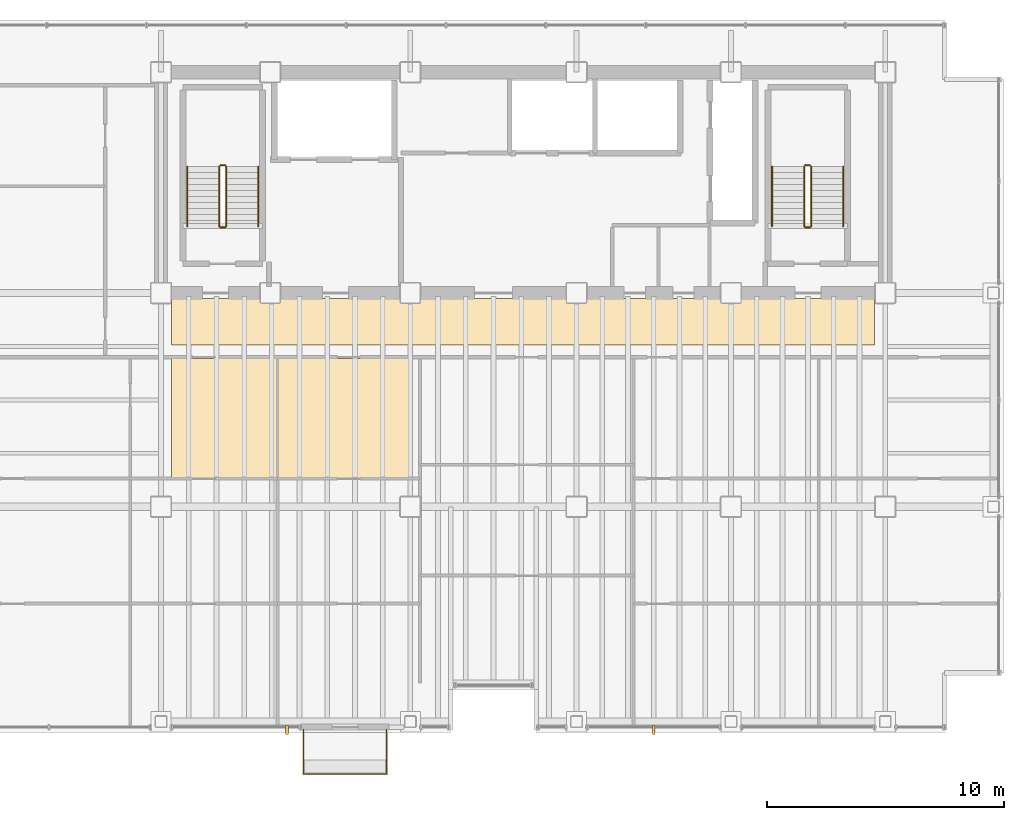
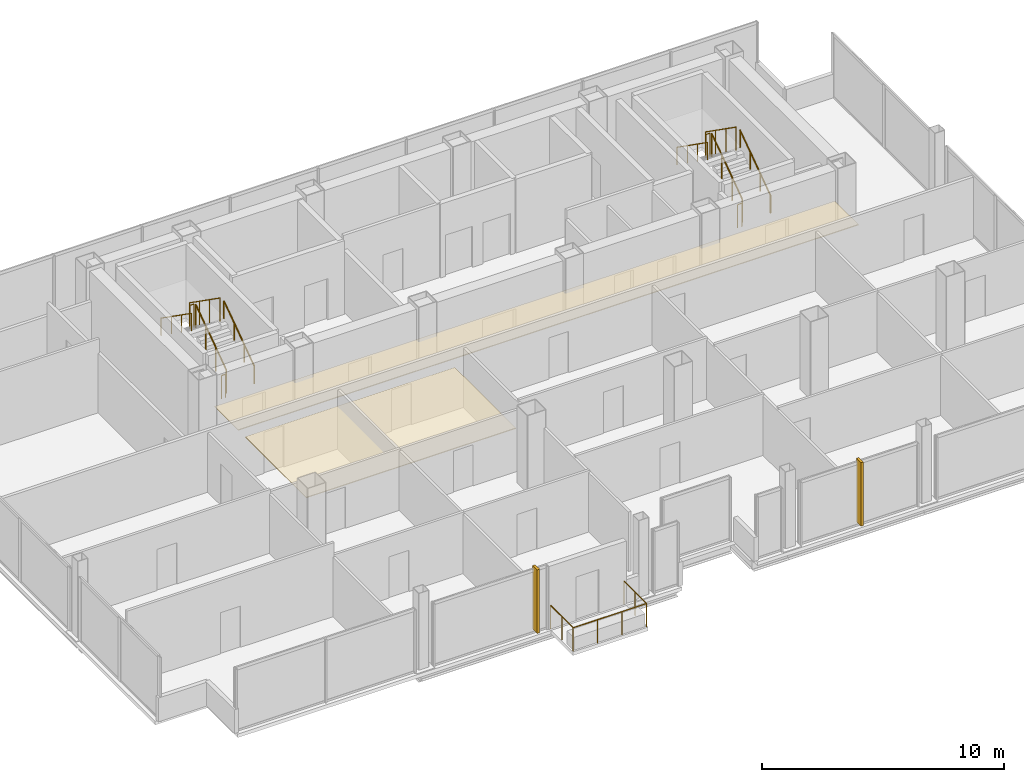
# One storey, part 22 of 22: 13 railings, 2 coverings, 2 shading devices.
"""IFC4 building model written with IfcOpenShell, lengths in metres."""

import ifcopenshell
import ifcopenshell.guid

model = None  # the IFC model being written
_history = None  # IfcOwnerHistory: only IFC2X3 demands one
_inside = {}  # id of a spatial element -> (the spatial element, [elements in it])
_under = {}  # id of a project, library or spatial element -> (it, [spatial elements below it])
_declared = {}  # id of a project -> (the project, [libraries it declares])
_typed = {}  # id of a type object -> (the type object, [elements of that type])
_made_of = {}  # id of a material, layer set ... -> (it, [elements and type objects made of it])


def new_model(schema):
    """Start an empty IFC model of exactly this schema.

    Asked for "IFC4X3", IfcOpenShell would pick the latest addendum, in which some entities
    have other attributes; the version numbers below select the first issue.
    IFC2X3 requires an IfcOwnerHistory on every rooted entity: one is made here for all.
    """
    global model, _history
    if schema == "IFC4X3":
        model = ifcopenshell.file(schema_version=(4, 3, 0, 0))
    else:
        model = ifcopenshell.file(schema=schema)
    _inside.clear()
    _under.clear()
    _declared.clear()
    _typed.clear()
    _made_of.clear()
    _history = None
    if model.schema == "IFC2X3":
        org = make("IfcOrganization", Name="unknown")
        user = make(
            "IfcPersonAndOrganization",
            ThePerson=make("IfcPerson", FamilyName="unknown"),
            TheOrganization=org,
        )
        app = make(
            "IfcApplication",
            ApplicationDeveloper=org,
            Version="unknown",
            ApplicationFullName="unknown",
            ApplicationIdentifier="unknown",
        )
        _history = make(
            "IfcOwnerHistory",
            OwningUser=user,
            OwningApplication=app,
            ChangeAction="ADDED",
            CreationDate=0,
        )
    return model


def make(cls, **values):
    """One entity of the class cls with the attributes given. An attribute that is None is left unset."""
    return model.create_entity(
        cls, **{name: value for name, value in values.items() if value is not None}
    )


def rooted(cls, **values):
    """An entity with a GlobalId (a new one), such as an element, a storey or a relation."""
    return make(cls, GlobalId=ifcopenshell.guid.new(), OwnerHistory=_history, **values)


def si_unit(unit_type, name, prefix=None):
    """IfcSIUnit, for example si_unit("LENGTHUNIT", "METRE", prefix="MILLI")."""
    return make("IfcSIUnit", UnitType=unit_type, Prefix=prefix, Name=name)


def assignment(units):
    """IfcUnitAssignment: the units of a project."""
    return None if units is None else make("IfcUnitAssignment", Units=units)


def point(xyz):
    """IfcCartesianPoint."""
    return None if xyz is None else make("IfcCartesianPoint", Coordinates=xyz)


def direction(xyz):
    """IfcDirection."""
    return None if xyz is None else make("IfcDirection", DirectionRatios=xyz)


def frame(location, z_axis=None, x_axis=None):
    """IfcAxis2Placement3D, a coordinate frame: its origin and axes. An axis left out is left unset."""
    return make(
        "IfcAxis2Placement3D",
        Location=point(location),
        Axis=direction(z_axis),
        RefDirection=direction(x_axis),
    )


def frame_2d(location, x_axis=None):
    """IfcAxis2Placement2D, a coordinate frame in the plane: its origin and x axis."""
    return make(
        "IfcAxis2Placement2D", Location=point(location), RefDirection=direction(x_axis)
    )


def origin():
    """The frame at (0, 0, 0) with its axes left unset."""
    return frame((0.0, 0.0, 0.0))


def origin_2d():
    """The frame at (0, 0) in the plane with its x axis left unset."""
    return frame_2d((0.0, 0.0))


def place(relative_to, where):
    """IfcLocalPlacement: puts the frame where relative to a parent placement (None: the world)."""
    return make(
        "IfcLocalPlacement", PlacementRelTo=relative_to, RelativePlacement=where
    )


def context(
    kind, dimensions, precision=None, world=None, true_north=None, identifier=None
):
    """IfcGeometricRepresentationContext, for example the 3D "Model" context."""
    return make(
        "IfcGeometricRepresentationContext",
        ContextIdentifier=identifier,
        ContextType=kind,
        CoordinateSpaceDimension=dimensions,
        Precision=precision,
        WorldCoordinateSystem=world,
        TrueNorth=true_north,
    )


def subcontext(parent, identifier, kind, view, scale=None):
    """IfcGeometricRepresentationSubContext, for example "Body" below "Model"."""
    return make(
        "IfcGeometricRepresentationSubContext",
        ContextIdentifier=identifier,
        ContextType=kind,
        ParentContext=parent,
        TargetScale=scale,
        TargetView=view,
    )


def project(units=None, contexts=None):
    """IfcProject with its units and contexts."""
    return rooted(
        "IfcProject",
        Name="project",
        RepresentationContexts=contexts,
        UnitsInContext=assignment(units),
    )


def spatial(cls, under=None, at=None, **own):
    """A site, building, storey or space (cls), placed at a placement, below another one or the project."""
    s = rooted(cls, ObjectPlacement=at, **own)
    if under is not None:
        _under.setdefault(under.id(), (under, []))[1].append(s)
    return s


def polyline(points):
    """IfcPolyline through the points."""
    return make("IfcPolyline", Points=[point(p) for p in points])


def profile(cls, at=None, kind="AREA", **sizes):
    """A parametric profile (cls). Its sizes go by their IFC names, for example OverallWidth=200.0."""
    return make(cls, ProfileType=kind, Position=at, **sizes)


def rectangle(**sizes):
    """IfcRectangleProfileDef."""
    return profile("IfcRectangleProfileDef", **sizes)


def circle(**sizes):
    """IfcCircleProfileDef."""
    return profile("IfcCircleProfileDef", **sizes)


def outline(outer, holes=None, kind="AREA"):
    """IfcArbitraryClosedProfileDef: a profile drawn as a closed curve; with holes, ...WithVoids."""
    if holes is None:
        return make("IfcArbitraryClosedProfileDef", ProfileType=kind, OuterCurve=outer)
    return make(
        "IfcArbitraryProfileDefWithVoids",
        ProfileType=kind,
        OuterCurve=outer,
        InnerCurves=holes,
    )


def extrude(swept, where, along, depth):
    """IfcExtrudedAreaSolid: the profile swept, set in the frame where, extruded along a direction by depth."""
    return make(
        "IfcExtrudedAreaSolid",
        SweptArea=swept,
        Position=where,
        ExtrudedDirection=direction(along),
        Depth=depth,
    )


def shape(context_of_items, identifier, shape_type, items):
    """IfcShapeRepresentation: the items that make up one representation, for example the "Body"."""
    return make(
        "IfcShapeRepresentation",
        ContextOfItems=context_of_items,
        RepresentationIdentifier=identifier,
        RepresentationType=shape_type,
        Items=items,
    )


def material(Name=None, Category=None):
    """IfcMaterial."""
    return make("IfcMaterial", Name=Name, Category=Category)


def layer(
    of_material, thickness, ventilated=None, Name=None, Category=None, Priority=None
):
    """IfcMaterialLayer: one layer of a wall or slab, of a material (None: an air gap)."""
    return make(
        "IfcMaterialLayer",
        Material=of_material,
        LayerThickness=thickness,
        IsVentilated=ventilated,
        Name=Name,
        Category=Category,
        Priority=Priority,
    )


def layer_set(layers, Name=None):
    """IfcMaterialLayerSet."""
    return make("IfcMaterialLayerSet", MaterialLayers=layers, LayerSetName=Name)


def made_of(thing, what):
    """Note that an element or type object is made of a material, layer set ...; save() writes the relation."""
    if what is not None:
        _made_of.setdefault(what.id(), (what, []))[1].append(thing)
    return thing


def type_object(cls, material=None, **own):
    """A type object (cls), such as IfcWallType, which elements share."""
    return made_of(rooted(cls, **own), material)


def element(
    cls,
    number,
    at=None,
    inside=None,
    cuts=None,
    type_object=None,
    material=None,
    context=None,
    identifier="Body",
    shape_type=None,
    held_by="IfcProductDefinitionShape",
    body=None,
    shapes=None,
    **own,
):
    """One element of the class cls, such as IfcWall. Its Tag is "e" and its number.

    at: its placement. inside: the storey or other place that contains it. cuts: it is an
    opening in that element (IfcRelVoidsElement). A single representation is given by context,
    identifier, shape_type and body (its items); several are given by shapes. held_by: the class
    of the entity that holds the representations. save() writes the other relations.
    """
    e = rooted(cls, Tag="e%d" % number, ObjectPlacement=at, **own)
    if body is not None:
        shapes = [shape(context, identifier, shape_type, body)]
    if shapes is not None:
        e.Representation = make(held_by, Representations=shapes)
    if inside is not None:
        _inside.setdefault(inside.id(), (inside, []))[1].append(e)
    if cuts is not None:
        rooted(
            "IfcRelVoidsElement", RelatingBuildingElement=cuts, RelatedOpeningElement=e
        )
    if type_object is not None:
        _typed.setdefault(type_object.id(), (type_object, []))[1].append(e)
    return made_of(e, material)


def aggregate(whole, parts):
    """IfcRelAggregates: a whole, such as a stair, and the parts it consists of."""
    return rooted("IfcRelAggregates", RelatingObject=whole, RelatedObjects=parts)


def save(model, path):
    """Write the relations noted so far, then the file.

    IfcRelAggregates (storeys below a building ...), IfcRelContainedInSpatialStructure (elements
    in a storey), IfcRelDefinesByType, IfcRelAssociatesMaterial and IfcRelDeclares: one each for
    every whole, place, type object, material and project.
    """
    for whole, parts in _under.values():
        aggregate(whole, parts)
    for where, things in _inside.values():
        rooted(
            "IfcRelContainedInSpatialStructure",
            RelatedElements=things,
            RelatingStructure=where,
        )
    for kind, things in _typed.values():
        rooted("IfcRelDefinesByType", RelatedObjects=things, RelatingType=kind)
    for what, things in _made_of.values():
        rooted("IfcRelAssociatesMaterial", RelatedObjects=things, RelatingMaterial=what)
    for by, libraries in _declared.values():
        rooted("IfcRelDeclares", RelatingContext=by, RelatedDefinitions=libraries)
    model.write(path)


model = new_model("IFC4")

# Units and contexts
model_context = context("Model", 3, precision=1e-05, world=origin(), true_north=direction((0.0, 1.0)))
body_context = subcontext(model_context, "Body", "Model", "MODEL_VIEW")
ifc_project = project(units=[si_unit("LENGTHUNIT", "METRE"), si_unit("AREAUNIT", "SQUARE_METRE"), si_unit("VOLUMEUNIT", "CUBIC_METRE"), si_unit("PLANEANGLEUNIT", "RADIAN"), si_unit("MASSUNIT", "GRAM", prefix="KILO")], contexts=[model_context])

# Site, building, storey
site_placement = place(None, origin())
site = spatial("IfcSite", under=ifc_project, at=site_placement, CompositionType="ELEMENT")
building_placement = place(site_placement, origin())
building = spatial("IfcBuilding", under=site, at=building_placement, Name="Noeulbin Bourse Tower", CompositionType="ELEMENT")
storey_placement = place(building_placement, frame((0.0, 0.0, 134.39990234375)))
storey = spatial("IfcBuildingStorey", under=building, at=storey_placement, Name="L33", CompositionType="ELEMENT", Elevation=134.39990234375)

# Coverings
ifc_material_1 = material(Name="Perforated Mineral-Fibre Acoustic Tile")
ifc_layer_1 = layer(ifc_material_1, 0.0400390625)
ifc_layer_set_1 = layer_set([ifc_layer_1], Name="Perforated Mineral-Fibre Acoustic Tile")
covering_type = type_object("IfcCoveringType", Name="COV-CEIL-ACT", PredefinedType="CEILING", material=ifc_layer_set_1)
covering_1_placement = place(storey_placement, frame((0.0, 0.0, 2.110107421875)))
element("IfcCovering", 1, at=covering_1_placement, inside=storey, type_object=covering_type, Name="Corridor Suspended Ceiling L33", PredefinedType="CEILING", context=body_context, shape_type="SweptSolid", body=[
    extrude(outline(polyline([(13.949951171875, 26.820068359375), (43.550048828125, 26.820068359375), (43.550048828125, 28.780029296875), (13.949951171875, 28.780029296875), (13.949951171875, 26.820068359375)])), origin(), (0.0, 0.0, 1.0), 0.0400390625),
])
covering_2_placement = place(storey_placement, frame((0.0, 0.0, 2.110107421875)))
element("IfcCovering", 2, at=covering_2_placement, inside=storey, type_object=covering_type, Name="Trading Suite Acoustic Ceiling L33", PredefinedType="CEILING", context=body_context, shape_type="SweptSolid", body=[
    extrude(outline(polyline([(13.949951171875, 21.199951171875), (23.949951171875, 21.199951171875), (23.949951171875, 26.25), (13.949951171875, 26.25), (13.949951171875, 21.199951171875)])), origin(), (0.0, 0.0, 1.0), 0.0400390625),
])

# Railings
ifc_material_2 = material(Name="Laminated SentryGlas and Stainless Steel 316", Category="steel")
ifc_layer_2 = layer(ifc_material_2, 0.06005859375)
ifc_layer_set_2 = layer_set([ifc_layer_2], Name="Laminated SentryGlas and Stainless Steel 316")
railing_type_1 = type_object("IfcRailingType", Name="RLG-BAL-1200", PredefinedType="BALUSTRADE", material=ifc_layer_set_2)
railing_1_placement = place(storey_placement, frame((19.5, 10.6201171875, 0.0)))
element("IfcRailing", 3, at=railing_1_placement, inside=storey, type_object=railing_type_1, Name="Tree-Balcony Glazed Balustrade L33", PredefinedType="BALUSTRADE", context=body_context, shape_type="SweptSolid", body=[
    extrude(circle(Radius=0.02392578125, at=origin_2d()), frame((0.0, 0.0, 1.17578125), z_axis=(0.0, -1.0, 0.0), x_axis=(1.0, 0.0, 0.0)), (0.0, 0.0, 1.0), 1.8701171875),
    extrude(circle(Radius=0.02392578125, at=origin_2d()), frame((0.0, -1.8701171875, 1.17578125), z_axis=(1.0, 0.0, 0.0), x_axis=(0.0, 1.0, 0.0)), (0.0, 0.0, 1.0), 3.5),
    extrude(circle(Radius=0.02392578125, at=origin_2d()), frame((3.5, -1.8701171875, 1.17578125), z_axis=(0.0, 1.0, 0.0), x_axis=(-1.0, 0.0, 0.0)), (0.0, 0.0, 1.0), 1.8701171875),
    extrude(circle(Radius=0.02099609375, at=origin_2d()), origin(), (0.0, 0.0, 1.0), 1.15185546875),
    extrude(circle(Radius=0.02099609375, at=origin_2d()), frame((0.0, -0.93505859375, 0.0)), (0.0, 0.0, 1.0), 1.15185546875),
    extrude(circle(Radius=0.02099609375, at=origin_2d()), frame((0.0, -1.8701171875, 0.0)), (0.0, 0.0, 1.0), 1.15185546875),
    extrude(circle(Radius=0.02099609375, at=origin_2d()), frame((1.166748046875, -1.8701171875, 0.0)), (0.0, 0.0, 1.0), 1.15185546875),
    extrude(circle(Radius=0.02099609375, at=origin_2d()), frame((2.333251953125, -1.8701171875, 0.0)), (0.0, 0.0, 1.0), 1.15185546875),
    extrude(circle(Radius=0.02099609375, at=origin_2d()), frame((3.5, -1.8701171875, 0.0)), (0.0, 0.0, 1.0), 1.15185546875),
    extrude(circle(Radius=0.02099609375, at=origin_2d()), frame((3.5, -0.93505859375, 0.0)), (0.0, 0.0, 1.0), 1.15185546875),
    extrude(circle(Radius=0.02099609375, at=origin_2d()), frame((3.5, 0.0, 0.0)), (0.0, 0.0, 1.0), 1.15185546875),
])
ifc_material_3 = material(Name="Painted Tubular Steel S355", Category="steel")
ifc_layer_3 = layer(ifc_material_3, 0.048095703125)
ifc_layer_set_3 = layer_set([ifc_layer_3], Name="Painted Tubular Steel S355")
railing_type_2 = type_object("IfcRailingType", Name="RLG-STR-GRD", PredefinedType="GUARDRAIL", material=ifc_layer_set_3)
railing_2_placement = place(storey_placement, frame((16.25, 31.81005859375, 0.177490234375)))
element("IfcRailing", 4, at=railing_2_placement, inside=storey, type_object=railing_type_2, Name="L33 ST-1 stair guard 1", PredefinedType="GUARDRAIL", context=body_context, shape_type="SweptSolid", body=[
    extrude(circle(Radius=0.02392578125, at=origin_2d()), frame((0.0, 0.0, 1.17578125), z_axis=(0.0, 0.817904474719, 0.575354039036), x_axis=(-1.0, 0.0, 0.0)), (0.0, 0.0, 1.0), 3.0810546875),
    extrude(circle(Radius=0.02099609375, at=origin_2d()), origin(), (0.0, 0.0, 1.0), 1.15185546875),
    extrude(circle(Radius=0.02099609375, at=origin_2d()), frame((0.0, 0.840087890625, 0.5908203125)), (0.0, 0.0, 1.0), 1.15185546875),
    extrude(circle(Radius=0.02099609375, at=origin_2d()), frame((0.0, 1.679931640625, 1.181884765625)), (0.0, 0.0, 1.0), 1.15185546875),
    extrude(circle(Radius=0.02099609375, at=origin_2d()), frame((0.0, 2.52001953125, 1.772705078125)), (0.0, 0.0, 1.0), 1.15185546875),
])
railing_3_placement = place(storey_placement, frame((16.199951171875, 34.3798828125, 1.9501953125)))
element("IfcRailing", 5, at=railing_3_placement, inside=storey, type_object=railing_type_2, Name="L33 ST-1 stair guard 2", PredefinedType="GUARDRAIL", context=body_context, shape_type="SweptSolid", body=[
    extrude(circle(Radius=0.02392578125, at=origin_2d()), frame((0.0, 0.0, 1.17578125), z_axis=(-1.0, 0.0, 0.0), x_axis=(0.0, -1.0, 0.0)), (0.0, 0.0, 1.0), 0.199951171875),
    extrude(circle(Radius=0.02099609375, at=origin_2d()), origin(), (0.0, 0.0, 1.0), 1.15185546875),
    extrude(circle(Radius=0.02099609375, at=origin_2d()), frame((-0.199951171875, 0.0, 0.0)), (0.0, 0.0, 1.0), 1.15185546875),
])
railing_4_placement = place(storey_placement, frame((15.949951171875, 34.330078125, 2.12744140625)))
element("IfcRailing", 6, at=railing_4_placement, inside=storey, type_object=railing_type_2, Name="L33 ST-1 stair guard 3", PredefinedType="GUARDRAIL", context=body_context, shape_type="SweptSolid", body=[
    extrude(circle(Radius=0.02392578125, at=origin_2d()), frame((0.0, 0.0, 1.17578125), z_axis=(0.0, -0.817904474719, 0.575354039036), x_axis=(1.0, 0.0, 0.0)), (0.0, 0.0, 1.0), 3.0810546875),
    extrude(circle(Radius=0.02099609375, at=origin_2d()), origin(), (0.0, 0.0, 1.0), 1.15185546875),
    extrude(circle(Radius=0.02099609375, at=origin_2d()), frame((0.0, -0.840087890625, 0.5908203125)), (0.0, 0.0, 1.0), 1.15185546875),
    extrude(circle(Radius=0.02099609375, at=origin_2d()), frame((0.0, -1.679931640625, 1.181884765625)), (0.0, 0.0, 1.0), 1.15185546875),
    extrude(circle(Radius=0.02099609375, at=origin_2d()), frame((0.0, -2.52001953125, 1.772705078125)), (0.0, 0.0, 1.0), 1.15185546875),
])
railing_5_placement = place(storey_placement, frame((16.199951171875, 31.760009765625, 0.0)))
element("IfcRailing", 7, at=railing_5_placement, inside=storey, type_object=railing_type_2, Name="L33 ST-1 stair guard 4", PredefinedType="GUARDRAIL", context=body_context, shape_type="SweptSolid", body=[
    extrude(circle(Radius=0.02392578125, at=origin_2d()), frame((0.0, 0.0, 1.17578125), z_axis=(-1.0, 0.0, 0.0), x_axis=(0.0, -1.0, 0.0)), (0.0, 0.0, 1.0), 0.199951171875),
    extrude(circle(Radius=0.02099609375, at=origin_2d()), origin(), (0.0, 0.0, 1.0), 1.15185546875),
    extrude(circle(Radius=0.02099609375, at=origin_2d()), frame((-0.199951171875, 0.0, 0.0)), (0.0, 0.0, 1.0), 1.15185546875),
])
railing_6_placement = place(storey_placement, frame((40.8798828125, 31.81005859375, 0.177490234375)))
element("IfcRailing", 8, at=railing_6_placement, inside=storey, type_object=railing_type_2, Name="L33 ST-2 stair guard 1", PredefinedType="GUARDRAIL", context=body_context, shape_type="SweptSolid", body=[
    extrude(circle(Radius=0.02392578125, at=origin_2d()), frame((0.0, 0.0, 1.17578125), z_axis=(0.0, 0.817904474719, 0.575354039036), x_axis=(-1.0, 0.0, 0.0)), (0.0, 0.0, 1.0), 3.0810546875),
    extrude(circle(Radius=0.02099609375, at=origin_2d()), origin(), (0.0, 0.0, 1.0), 1.15185546875),
    extrude(circle(Radius=0.02099609375, at=origin_2d()), frame((0.0, 0.840087890625, 0.5908203125)), (0.0, 0.0, 1.0), 1.15185546875),
    extrude(circle(Radius=0.02099609375, at=origin_2d()), frame((0.0, 1.679931640625, 1.181884765625)), (0.0, 0.0, 1.0), 1.15185546875),
    extrude(circle(Radius=0.02099609375, at=origin_2d()), frame((0.0, 2.52001953125, 1.772705078125)), (0.0, 0.0, 1.0), 1.15185546875),
])
railing_7_placement = place(storey_placement, frame((40.830078125, 34.3798828125, 1.9501953125)))
element("IfcRailing", 9, at=railing_7_placement, inside=storey, type_object=railing_type_2, Name="L33 ST-2 stair guard 2", PredefinedType="GUARDRAIL", context=body_context, shape_type="SweptSolid", body=[
    extrude(circle(Radius=0.02392578125, at=origin_2d()), frame((0.0, 0.0, 1.17578125), z_axis=(-1.0, 0.0, 0.0), x_axis=(0.0, -1.0, 0.0)), (0.0, 0.0, 1.0), 0.2001953125),
    extrude(circle(Radius=0.02099609375, at=origin_2d()), origin(), (0.0, 0.0, 1.0), 1.15185546875),
    extrude(circle(Radius=0.02099609375, at=origin_2d()), frame((-0.2001953125, 0.0, 0.0)), (0.0, 0.0, 1.0), 1.15185546875),
])
railing_8_placement = place(storey_placement, frame((40.580078125, 34.330078125, 2.12744140625)))
element("IfcRailing", 10, at=railing_8_placement, inside=storey, type_object=railing_type_2, Name="L33 ST-2 stair guard 3", PredefinedType="GUARDRAIL", context=body_context, shape_type="SweptSolid", body=[
    extrude(circle(Radius=0.02392578125, at=origin_2d()), frame((0.0, 0.0, 1.17578125), z_axis=(0.0, -0.817904474719, 0.575354039036), x_axis=(1.0, 0.0, 0.0)), (0.0, 0.0, 1.0), 3.0810546875),
    extrude(circle(Radius=0.02099609375, at=origin_2d()), origin(), (0.0, 0.0, 1.0), 1.15185546875),
    extrude(circle(Radius=0.02099609375, at=origin_2d()), frame((0.0, -0.840087890625, 0.5908203125)), (0.0, 0.0, 1.0), 1.15185546875),
    extrude(circle(Radius=0.02099609375, at=origin_2d()), frame((0.0, -1.679931640625, 1.181884765625)), (0.0, 0.0, 1.0), 1.15185546875),
    extrude(circle(Radius=0.02099609375, at=origin_2d()), frame((0.0, -2.52001953125, 1.772705078125)), (0.0, 0.0, 1.0), 1.15185546875),
])
railing_9_placement = place(storey_placement, frame((40.830078125, 31.760009765625, 0.0)))
element("IfcRailing", 11, at=railing_9_placement, inside=storey, type_object=railing_type_2, Name="L33 ST-2 stair guard 4", PredefinedType="GUARDRAIL", context=body_context, shape_type="SweptSolid", body=[
    extrude(circle(Radius=0.02392578125, at=origin_2d()), frame((0.0, 0.0, 1.17578125), z_axis=(-1.0, 0.0, 0.0), x_axis=(0.0, -1.0, 0.0)), (0.0, 0.0, 1.0), 0.2001953125),
    extrude(circle(Radius=0.02099609375, at=origin_2d()), origin(), (0.0, 0.0, 1.0), 1.15185546875),
    extrude(circle(Radius=0.02099609375, at=origin_2d()), frame((-0.2001953125, 0.0, 0.0)), (0.0, 0.0, 1.0), 1.15185546875),
])
ifc_material_4 = material(Name="Brushed Stainless Steel 316", Category="steel")
ifc_layer_4 = layer(ifc_material_4, 0.048095703125)
ifc_layer_set_4 = layer_set([ifc_layer_4], Name="Brushed Stainless Steel 316")
railing_type_3 = type_object("IfcRailingType", Name="RLG-STR-HND", PredefinedType="HANDRAIL", material=ifc_layer_set_4)
railing_10_placement = place(storey_placement, frame((17.60009765625, 31.81005859375, 0.177490234375)))
element("IfcRailing", 12, at=railing_10_placement, inside=storey, type_object=railing_type_3, Name="L33 ST-1 stair handrail 1", PredefinedType="HANDRAIL", context=body_context, shape_type="SweptSolid", body=[
    extrude(circle(Radius=0.02392578125, at=origin_2d()), frame((0.0, 0.0, 0.8759765625), z_axis=(0.0, 0.817904474719, 0.575354039036), x_axis=(-1.0, 0.0, 0.0)), (0.0, 0.0, 1.0), 3.0810546875),
    extrude(circle(Radius=0.02099609375, at=origin_2d()), origin(), (0.0, 0.0, 1.0), 0.851806640625),
    extrude(circle(Radius=0.02099609375, at=origin_2d()), frame((0.0, 0.840087890625, 0.5908203125)), (0.0, 0.0, 1.0), 0.851806640625),
    extrude(circle(Radius=0.02099609375, at=origin_2d()), frame((0.0, 1.679931640625, 1.181884765625)), (0.0, 0.0, 1.0), 0.851806640625),
    extrude(circle(Radius=0.02099609375, at=origin_2d()), frame((0.0, 2.52001953125, 1.772705078125)), (0.0, 0.0, 1.0), 0.851806640625),
])
railing_11_placement = place(storey_placement, frame((14.60009765625, 34.330078125, 2.12744140625)))
element("IfcRailing", 13, at=railing_11_placement, inside=storey, type_object=railing_type_3, Name="L33 ST-1 stair handrail 2", PredefinedType="HANDRAIL", context=body_context, shape_type="SweptSolid", body=[
    extrude(circle(Radius=0.02392578125, at=origin_2d()), frame((0.0, 0.0, 0.8759765625), z_axis=(0.0, -0.817904474719, 0.575354039036), x_axis=(1.0, 0.0, 0.0)), (0.0, 0.0, 1.0), 3.0810546875),
    extrude(circle(Radius=0.02099609375, at=origin_2d()), origin(), (0.0, 0.0, 1.0), 0.851806640625),
    extrude(circle(Radius=0.02099609375, at=origin_2d()), frame((0.0, -0.840087890625, 0.5908203125)), (0.0, 0.0, 1.0), 0.851806640625),
    extrude(circle(Radius=0.02099609375, at=origin_2d()), frame((0.0, -1.679931640625, 1.181884765625)), (0.0, 0.0, 1.0), 0.851806640625),
    extrude(circle(Radius=0.02099609375, at=origin_2d()), frame((0.0, -2.52001953125, 1.772705078125)), (0.0, 0.0, 1.0), 0.851806640625),
])
railing_12_placement = place(storey_placement, frame((42.22998046875, 31.81005859375, 0.177490234375)))
element("IfcRailing", 14, at=railing_12_placement, inside=storey, type_object=railing_type_3, Name="L33 ST-2 stair handrail 1", PredefinedType="HANDRAIL", context=body_context, shape_type="SweptSolid", body=[
    extrude(circle(Radius=0.02392578125, at=origin_2d()), frame((0.0, 0.0, 0.8759765625), z_axis=(0.0, 0.817904474719, 0.575354039036), x_axis=(-1.0, 0.0, 0.0)), (0.0, 0.0, 1.0), 3.0810546875),
    extrude(circle(Radius=0.02099609375, at=origin_2d()), origin(), (0.0, 0.0, 1.0), 0.851806640625),
    extrude(circle(Radius=0.02099609375, at=origin_2d()), frame((0.0, 0.840087890625, 0.5908203125)), (0.0, 0.0, 1.0), 0.851806640625),
    extrude(circle(Radius=0.02099609375, at=origin_2d()), frame((0.0, 1.679931640625, 1.181884765625)), (0.0, 0.0, 1.0), 0.851806640625),
    extrude(circle(Radius=0.02099609375, at=origin_2d()), frame((0.0, 2.52001953125, 1.772705078125)), (0.0, 0.0, 1.0), 0.851806640625),
])
railing_13_placement = place(storey_placement, frame((39.22998046875, 34.330078125, 2.12744140625)))
element("IfcRailing", 15, at=railing_13_placement, inside=storey, type_object=railing_type_3, Name="L33 ST-2 stair handrail 2", PredefinedType="HANDRAIL", context=body_context, shape_type="SweptSolid", body=[
    extrude(circle(Radius=0.02392578125, at=origin_2d()), frame((0.0, 0.0, 0.8759765625), z_axis=(0.0, -0.817904474719, 0.575354039036), x_axis=(1.0, 0.0, 0.0)), (0.0, 0.0, 1.0), 3.0810546875),
    extrude(circle(Radius=0.02099609375, at=origin_2d()), origin(), (0.0, 0.0, 1.0), 0.851806640625),
    extrude(circle(Radius=0.02099609375, at=origin_2d()), frame((0.0, -0.840087890625, 0.5908203125)), (0.0, 0.0, 1.0), 0.851806640625),
    extrude(circle(Radius=0.02099609375, at=origin_2d()), frame((0.0, -1.679931640625, 1.181884765625)), (0.0, 0.0, 1.0), 0.851806640625),
    extrude(circle(Radius=0.02099609375, at=origin_2d()), frame((0.0, -2.52001953125, 1.772705078125)), (0.0, 0.0, 1.0), 0.851806640625),
])

# Shading devices
ifc_material_5 = material(Name="Anodised Aluminium 6063-T6", Category="aluminium")
ifc_layer_5 = layer(ifc_material_5, 3.199951171875)
ifc_layer_set_5 = layer_set([ifc_layer_5], Name="Anodised Aluminium 6063-T6")
shading_device_type = type_object("IfcShadingDeviceType", Name="SHD-FIN-400", PredefinedType="USERDEFINED", material=ifc_layer_set_5)
for number, where, z_axis, x_axis, name in (
    (16, (18.800048828125, 10.60009765625, 0.14990234375), (0.0, 0.0, 1.0), (1.0, 0.0, 0.0), "Vertical Solar Fin SN-L33-1"),
    (17, (34.25, 10.60009765625, 0.14990234375), (0.0, 0.0, 1.0), (1.0, 0.0, 0.0), "Vertical Solar Fin SN-L33-2"),
):
    element("IfcShadingDevice", number, at=place(storey_placement, frame(where, z_axis=z_axis, x_axis=x_axis)), inside=storey, type_object=shading_device_type, Name=name, ObjectType="SUNSHADE", PredefinedType="USERDEFINED", context=body_context, shape_type="SweptSolid", body=[
        extrude(rectangle(XDim=0.1201171875, YDim=0.3798828125, at=origin_2d()), origin(), (0.0, 0.0, 1.0), 3.199951171875),
    ])

save(model, "model.ifc")
